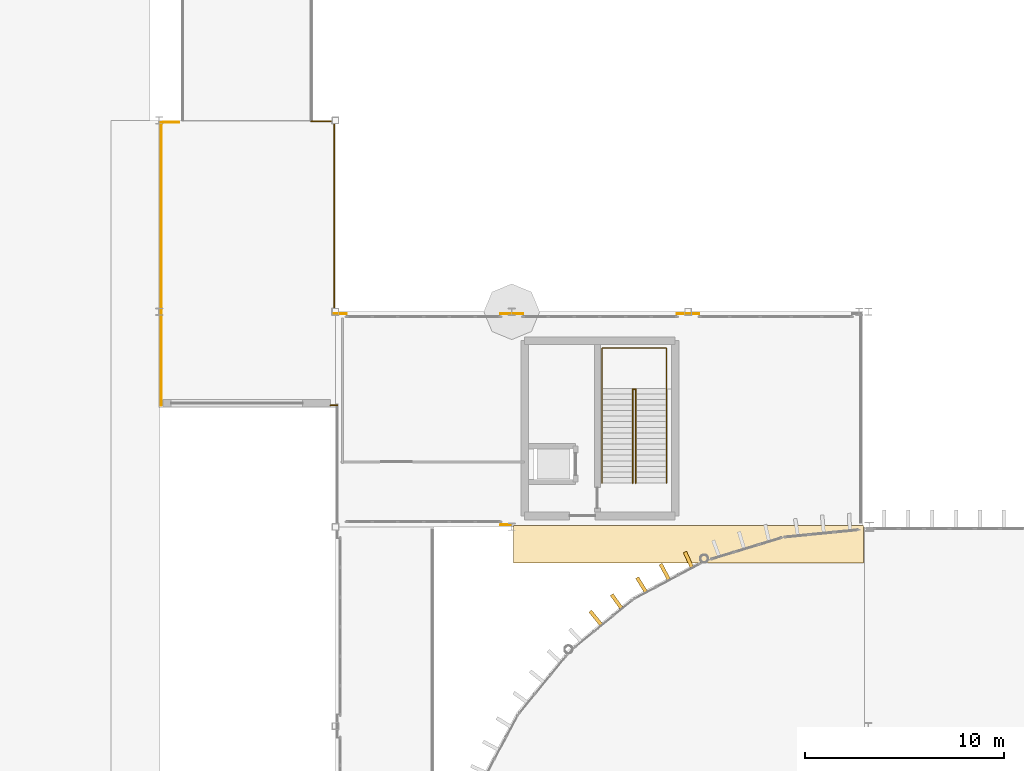
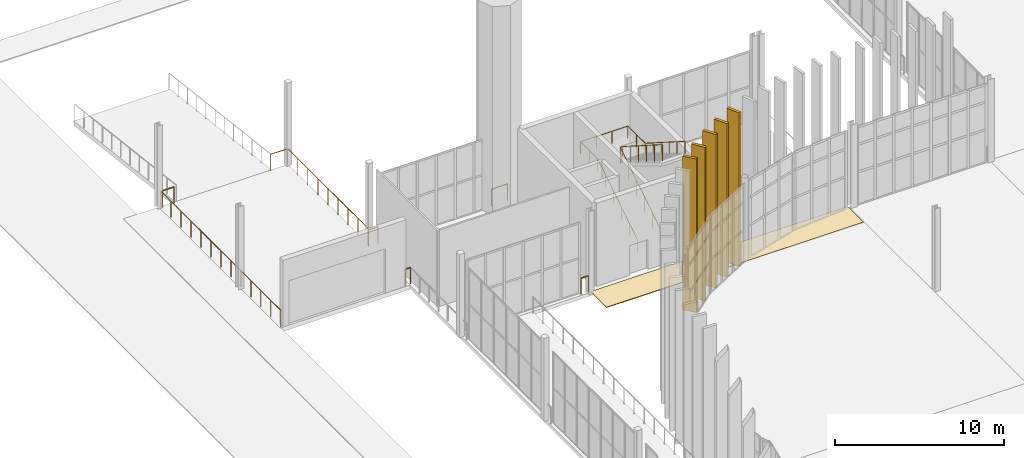
# One storey, part 124 of 139: 10 railings, 6 coverings.
"""IFC4 building model written with IfcOpenShell, lengths in metres."""

from ifc_helpers import new_model, si_unit, direction, frame, origin, origin_2d, place, context, subcontext, project, spatial, polyline, rectangle, circle, outline, extrude, material, layer, layer_set, type_object, element, save


model = new_model("IFC4")

# Units and contexts
model_context = context("Model", 3, precision=1e-05, world=origin(), true_north=direction((0.0, 1.0)))
body_context = subcontext(model_context, "Body", "Model", "MODEL_VIEW")
ifc_project = project(units=[si_unit("LENGTHUNIT", "METRE"), si_unit("AREAUNIT", "SQUARE_METRE"), si_unit("VOLUMEUNIT", "CUBIC_METRE"), si_unit("PLANEANGLEUNIT", "RADIAN"), si_unit("MASSUNIT", "GRAM", prefix="KILO")], contexts=[model_context])

# Site, building, storey
site_placement = place(None, origin())
site = spatial("IfcSite", under=ifc_project, at=site_placement, CompositionType="ELEMENT")
building_placement = place(site_placement, origin())
building = spatial("IfcBuilding", under=site, at=building_placement, Name="Yeouljin Market Hall", CompositionType="ELEMENT")
storey_placement = place(building_placement, origin())
storey = spatial("IfcBuildingStorey", under=building, at=storey_placement, Name="L00", CompositionType="ELEMENT", Elevation=0.0)

# Coverings
ifc_material_1 = material(Name="Pocheon Granite Stone", Category="masonry")
ifc_layer_1 = layer(ifc_material_1, 0.050048828125)
ifc_layer_set_1 = layer_set([ifc_layer_1], Name="Pocheon Granite Stone")
covering_type_1 = type_object("IfcCoveringType", Name="Covering_Granite_PlinthPaving", PredefinedType="FLOORING", material=ifc_layer_set_1)
covering_placement = place(storey_placement, frame((0.0, 0.0, -0.050048828125)))
element("IfcCovering", 1, at=covering_placement, inside=storey, type_object=covering_type_1, Name="Granite plinth exterior apron PAV-NW-COURT", PredefinedType="FLOORING", context=body_context, shape_type="SweptSolid", body=[
    extrude(outline(polyline([(17.800048828125, 76.199951171875), (35.35009765625, 76.199951171875), (35.35009765625, 78.080078125), (17.800048828125, 78.080078125), (17.800048828125, 76.199951171875)])), origin(), (0.0, 0.0, 1.0), 0.050048828125),
])
ifc_material_2 = material(Name="White Limestone and Bronze Solar Fin", Category="masonry")
ifc_layer_2 = layer(ifc_material_2, 0.179931640625)
ifc_layer_set_2 = layer_set([ifc_layer_2], Name="White Limestone and Bronze Solar Fin")
covering_type_2 = type_object("IfcCoveringType", Name="Covering_Limestone_SolarFin", PredefinedType="CLADDING", material=ifc_layer_set_2)
for number, where, z_axis, x_axis, name in (
    (2, (21.912841796875, 73.43408203125, 0.0), (0.0, 0.0, 1.0), (-0.63432582386, 0.773065811677, 0.0), "Apse radial vertical lantern fin west 127"),
    (3, (22.97119140625, 74.24853515625, 0.0), (0.0, 0.0, 1.0), (-0.584532922799, 0.811369990919, 0.0), "Apse radial vertical lantern fin west 128"),
    (4, (24.220703125, 75.08349609375, 0.0), (0.0, 0.0, 1.0), (-0.525768608156, 0.850627633385, 0.0), "Apse radial vertical lantern fin west 129"),
    (5, (25.378173828125, 75.74951171875, 0.0), (0.0, 0.0, 1.0), (-0.471319772882, 0.881962398116, 0.0), "Apse radial vertical lantern fin west 130"),
    (6, (26.5751953125, 76.341796875, 0.0), (0.0, 0.0, 1.0), (-0.415169640396, 0.909744013277, 0.0), "Apse radial vertical lantern fin west 131"),
):
    element("IfcCovering", number, at=place(storey_placement, frame(where, z_axis=z_axis, x_axis=x_axis)), inside=storey, type_object=covering_type_2, Name=name, PredefinedType="CLADDING", context=body_context, shape_type="SweptSolid", body=[
        extrude(rectangle(XDim=0.8798828125, YDim=0.179931640625, at=origin_2d()), origin(), (0.0, 0.0, 1.0), 11.10009765625),
    ])

# Railings
ifc_material_3 = material(Name="Wrought Iron and Bronze Gallery Balustrade")
railing_type_1 = type_object("IfcRailingType", Name="Railing_AtriumBalustrade_1200", PredefinedType="BALUSTRADE", material=ifc_material_3)
railing_1_placement = place(storey_placement, frame((8.949951171875, 84.10009765625, 0.0)))
element("IfcRailing", 7, at=railing_1_placement, inside=storey, type_object=railing_type_1, Name="Gallery & deck edge balustrade L00-048", PredefinedType="BALUSTRADE", context=body_context, shape_type="SweptSolid", body=[
    extrude(circle(Radius=0.02392578125, at=origin_2d()), frame((0.0, 0.0, 1.17578125), z_axis=(-1.0, 0.0, 0.0), x_axis=(0.0, -1.0, 0.0)), (0.0, 0.0, 1.0), 0.349853515625),
    extrude(circle(Radius=0.02099609375, at=origin_2d()), origin(), (0.0, 0.0, 1.0), 1.15185546875),
    extrude(circle(Radius=0.02099609375, at=origin_2d()), frame((-0.349853515625, 0.0, 0.0)), (0.0, 0.0, 1.0), 1.15185546875),
])
railing_2_placement = place(storey_placement, frame((0.199951171875, 98.300048828125, 0.0)))
element("IfcRailing", 8, at=railing_2_placement, inside=storey, type_object=railing_type_1, Name="Gallery & deck edge balustrade L00-049", PredefinedType="BALUSTRADE", context=body_context, shape_type="SweptSolid", body=[
    extrude(circle(Radius=0.02392578125, at=origin_2d()), frame((0.0, 0.0, 1.17578125), z_axis=(1.0, 0.0, 0.0), x_axis=(0.0, 1.0, 0.0)), (0.0, 0.0, 1.0), 0.800048828125),
    extrude(circle(Radius=0.02099609375, at=origin_2d()), origin(), (0.0, 0.0, 1.0), 1.15185546875),
    extrude(circle(Radius=0.02099609375, at=origin_2d()), frame((0.800048828125, 0.0, 0.0)), (0.0, 0.0, 1.0), 1.15185546875),
])
railing_3_placement = place(storey_placement, frame((8.75, 88.699951171875, 0.0)))
element("IfcRailing", 9, at=railing_3_placement, inside=storey, type_object=railing_type_1, Name="Gallery & deck edge balustrade L00-050", PredefinedType="BALUSTRADE", context=body_context, shape_type="SweptSolid", body=[
    extrude(circle(Radius=0.02392578125, at=origin_2d()), frame((0.0, 0.0, 1.17578125), z_axis=(1.0, 0.0, 0.0), x_axis=(0.0, 1.0, 0.0)), (0.0, 0.0, 1.0), 0.64990234375),
    extrude(circle(Radius=0.02099609375, at=origin_2d()), origin(), (0.0, 0.0, 1.0), 1.15185546875),
    extrude(circle(Radius=0.02099609375, at=origin_2d()), frame((0.64990234375, 0.0, 0.0)), (0.0, 0.0, 1.0), 1.15185546875),
])
for number, where, name in (
    (10, (17.14990234375, 88.699951171875, 0.0), "Gallery & deck edge balustrade L00-051"),
    (11, (26.0, 88.699951171875, 0.0), "Gallery & deck edge balustrade L00-052"),
):
    element("IfcRailing", number, at=place(storey_placement, frame(where)), inside=storey, type_object=railing_type_1, Name=name, PredefinedType="BALUSTRADE", context=body_context, shape_type="SweptSolid", body=[
        extrude(circle(Radius=0.02392578125, at=origin_2d()), frame((0.0, 0.0, 1.17578125), z_axis=(1.0, 0.0, 0.0), x_axis=(0.0, 1.0, 0.0)), (0.0, 0.0, 1.0), 1.10009765625),
        extrude(circle(Radius=0.02099609375, at=origin_2d()), origin(), (0.0, 0.0, 1.0), 1.15185546875),
        extrude(circle(Radius=0.02099609375, at=origin_2d()), frame((1.10009765625, 0.0, 0.0)), (0.0, 0.0, 1.0), 1.15185546875),
    ])
railing_4_placement = place(storey_placement, frame((17.651611328125, 78.10009765625, 0.0)))
element("IfcRailing", 12, at=railing_4_placement, inside=storey, type_object=railing_type_1, Name="Gallery & deck edge balustrade L00-055", PredefinedType="BALUSTRADE", context=body_context, shape_type="SweptSolid", body=[
    extrude(circle(Radius=0.02392578125, at=origin_2d()), frame((0.0, 0.0, 1.17578125), z_axis=(-1.0, 0.0, 0.0), x_axis=(0.0, -1.0, 0.0)), (0.0, 0.0, 1.0), 0.501708984375),
    extrude(circle(Radius=0.02099609375, at=origin_2d()), origin(), (0.0, 0.0, 1.0), 1.15185546875),
    extrude(circle(Radius=0.02099609375, at=origin_2d()), frame((-0.501708984375, 0.0, 0.0)), (0.0, 0.0, 1.0), 1.15185546875),
])
ifc_material_4 = material(Name="Painted Steel Stair Guardrail", Category="steel")
railing_type_2 = type_object("IfcRailingType", Name="Railing_StairGuard_1200", PredefinedType="GUARDRAIL", material=ifc_material_4)
railing_5_placement = place(storey_placement, frame((23.77001953125, 80.199951171875, 0.0)))
element("IfcRailing", 13, at=railing_5_placement, inside=storey, type_object=railing_type_2, Name="Stair ST-C2-L00 inner well guardrail", PredefinedType="GUARDRAIL", context=body_context, shape_type="SweptSolid", body=[
    extrude(circle(Radius=0.02392578125, at=origin_2d()), frame((0.0, 0.0, 1.17578125), z_axis=(0.0, 0.84395435455, 0.536414995537), x_axis=(-1.0, 0.0, 0.0)), (0.0, 0.0, 1.0), 5.5927734375),
    extrude(circle(Radius=0.02392578125, at=origin_2d()), frame((0.0, 4.719970703125, 4.17578125), z_axis=(1.0, 0.0, 0.0), x_axis=(0.0, 1.0, 0.0)), (0.0, 0.0, 1.0), 0.159912109375),
    extrude(circle(Radius=0.02392578125, at=origin_2d()), frame((0.159912109375, 4.719970703125, 4.17578125), z_axis=(0.0, -0.84395435455, 0.536414995537), x_axis=(1.0, 0.0, 0.0)), (0.0, 0.0, 1.0), 5.5927734375),
    extrude(circle(Radius=0.02099609375, at=origin_2d()), origin(), (0.0, 0.0, 1.0), 1.15185546875),
    extrude(circle(Radius=0.02099609375, at=origin_2d()), frame((0.0, 0.944091796875, 0.60009765625)), (0.0, 0.0, 1.0), 1.15185546875),
    extrude(circle(Radius=0.02099609375, at=origin_2d()), frame((0.0, 1.887939453125, 1.199951171875)), (0.0, 0.0, 1.0), 1.15185546875),
    extrude(circle(Radius=0.02099609375, at=origin_2d()), frame((0.0, 2.83203125, 1.800048828125)), (0.0, 0.0, 1.0), 1.15185546875),
    extrude(circle(Radius=0.02099609375, at=origin_2d()), frame((0.0, 3.77587890625, 2.39990234375)), (0.0, 0.0, 1.0), 1.15185546875),
    extrude(circle(Radius=0.02099609375, at=origin_2d()), frame((0.0, 4.719970703125, 3.0)), (0.0, 0.0, 1.0), 1.15185546875),
    extrude(circle(Radius=0.02099609375, at=origin_2d()), frame((0.159912109375, 4.719970703125, 3.0)), (0.0, 0.0, 1.0), 1.15185546875),
    extrude(circle(Radius=0.02099609375, at=origin_2d()), frame((0.159912109375, 3.77587890625, 3.60009765625)), (0.0, 0.0, 1.0), 1.15185546875),
    extrude(circle(Radius=0.02099609375, at=origin_2d()), frame((0.159912109375, 2.83203125, 4.199951171875)), (0.0, 0.0, 1.0), 1.15185546875),
    extrude(circle(Radius=0.02099609375, at=origin_2d()), frame((0.159912109375, 1.887939453125, 4.800048828125)), (0.0, 0.0, 1.0), 1.15185546875),
    extrude(circle(Radius=0.02099609375, at=origin_2d()), frame((0.159912109375, 0.944091796875, 5.39990234375)), (0.0, 0.0, 1.0), 1.15185546875),
    extrude(circle(Radius=0.02099609375, at=origin_2d()), frame((0.159912109375, 0.0, 6.0)), (0.0, 0.0, 1.0), 1.15185546875),
])
ifc_material_5 = material(Name="Brushed Stainless Steel", Category="steel")
railing_type_3 = type_object("IfcRailingType", Name="Railing_StairHandrail_900", PredefinedType="HANDRAIL", material=ifc_material_5)
railing_6_placement = place(storey_placement, frame((22.22998046875, 80.199951171875, 0.0)))
element("IfcRailing", 14, at=railing_6_placement, inside=storey, type_object=railing_type_3, Name="Stair ST-C2-L00 wall handrail", PredefinedType="HANDRAIL", context=body_context, shape_type="SweptSolid", body=[
    extrude(circle(Radius=0.02392578125, at=origin_2d()), frame((0.0, 0.0, 0.8759765625), z_axis=(0.0, 0.84395435455, 0.536414995537), x_axis=(-1.0, 0.0, 0.0)), (0.0, 0.0, 1.0), 5.5927734375),
    extrude(circle(Radius=0.02392578125, at=origin_2d()), frame((0.0, 4.719970703125, 3.8759765625), z_axis=(0.0, 1.0, 0.0), x_axis=(-1.0, 0.0, 0.0)), (0.0, 0.0, 1.0), 2.050048828125),
    extrude(circle(Radius=0.02392578125, at=origin_2d()), frame((0.0, 6.77001953125, 3.8759765625), z_axis=(1.0, 0.0, 0.0), x_axis=(0.0, 1.0, 0.0)), (0.0, 0.0, 1.0), 3.239990234375),
    extrude(circle(Radius=0.02392578125, at=origin_2d()), frame((3.239990234375, 6.77001953125, 3.8759765625), z_axis=(0.0, -1.0, 0.0), x_axis=(1.0, 0.0, 0.0)), (0.0, 0.0, 1.0), 2.050048828125),
    extrude(circle(Radius=0.02392578125, at=origin_2d()), frame((3.239990234375, 4.719970703125, 3.8759765625), z_axis=(0.0, -0.84395435455, 0.536414995537), x_axis=(1.0, 0.0, 0.0)), (0.0, 0.0, 1.0), 5.5927734375),
    extrude(circle(Radius=0.02099609375, at=origin_2d()), origin(), (0.0, 0.0, 1.0), 0.851806640625),
    extrude(circle(Radius=0.02099609375, at=origin_2d()), frame((0.0, 0.944091796875, 0.60009765625)), (0.0, 0.0, 1.0), 0.851806640625),
    extrude(circle(Radius=0.02099609375, at=origin_2d()), frame((0.0, 1.887939453125, 1.199951171875)), (0.0, 0.0, 1.0), 0.851806640625),
    extrude(circle(Radius=0.02099609375, at=origin_2d()), frame((0.0, 2.83203125, 1.800048828125)), (0.0, 0.0, 1.0), 0.851806640625),
    extrude(circle(Radius=0.02099609375, at=origin_2d()), frame((0.0, 3.77587890625, 2.39990234375)), (0.0, 0.0, 1.0), 0.851806640625),
    extrude(circle(Radius=0.02099609375, at=origin_2d()), frame((0.0, 4.719970703125, 3.0)), (0.0, 0.0, 1.0), 0.851806640625),
    extrude(circle(Radius=0.02099609375, at=origin_2d()), frame((0.0, 5.7451171875, 3.0)), (0.0, 0.0, 1.0), 0.851806640625),
    extrude(circle(Radius=0.02099609375, at=origin_2d()), frame((0.0, 6.77001953125, 3.0)), (0.0, 0.0, 1.0), 0.851806640625),
    extrude(circle(Radius=0.02099609375, at=origin_2d()), frame((1.080078125, 6.77001953125, 3.0)), (0.0, 0.0, 1.0), 0.851806640625),
    extrude(circle(Radius=0.02099609375, at=origin_2d()), frame((2.159912109375, 6.77001953125, 3.0)), (0.0, 0.0, 1.0), 0.851806640625),
    extrude(circle(Radius=0.02099609375, at=origin_2d()), frame((3.239990234375, 6.77001953125, 3.0)), (0.0, 0.0, 1.0), 0.851806640625),
    extrude(circle(Radius=0.02099609375, at=origin_2d()), frame((3.239990234375, 5.7451171875, 3.0)), (0.0, 0.0, 1.0), 0.851806640625),
    extrude(circle(Radius=0.02099609375, at=origin_2d()), frame((3.239990234375, 4.719970703125, 3.0)), (0.0, 0.0, 1.0), 0.851806640625),
    extrude(circle(Radius=0.02099609375, at=origin_2d()), frame((3.239990234375, 3.77587890625, 3.60009765625)), (0.0, 0.0, 1.0), 0.851806640625),
    extrude(circle(Radius=0.02099609375, at=origin_2d()), frame((3.239990234375, 2.83203125, 4.199951171875)), (0.0, 0.0, 1.0), 0.851806640625),
    extrude(circle(Radius=0.02099609375, at=origin_2d()), frame((3.239990234375, 1.887939453125, 4.800048828125)), (0.0, 0.0, 1.0), 0.851806640625),
    extrude(circle(Radius=0.02099609375, at=origin_2d()), frame((3.239990234375, 0.944091796875, 5.39990234375)), (0.0, 0.0, 1.0), 0.851806640625),
    extrude(circle(Radius=0.02099609375, at=origin_2d()), frame((3.239990234375, 0.0, 6.0)), (0.0, 0.0, 1.0), 0.851806640625),
])
ifc_material_6 = material(Name="Architectural Bronze Balustrade")
railing_type_4 = type_object("IfcRailingType", Name="Railing_TerraceGuard_1200", PredefinedType="GUARDRAIL", material=ifc_material_6)
railing_7_placement = place(storey_placement, frame((0.10009765625, 84.10009765625, 0.0)))
element("IfcRailing", 15, at=railing_7_placement, inside=storey, type_object=railing_type_4, Name="Service apron west edge guardrail", PredefinedType="GUARDRAIL", context=body_context, shape_type="SweptSolid", body=[
    extrude(circle(Radius=0.02392578125, at=origin_2d()), frame((0.0, 0.0, 1.17578125), z_axis=(0.0, 1.0, 0.0), x_axis=(-1.0, 0.0, 0.0)), (0.0, 0.0, 1.0), 14.199951171875),
    extrude(circle(Radius=0.02099609375, at=origin_2d()), origin(), (0.0, 0.0, 1.0), 1.15185546875),
    extrude(circle(Radius=0.02099609375, at=origin_2d()), frame((0.0, 1.183349609375, 0.0)), (0.0, 0.0, 1.0), 1.15185546875),
    extrude(circle(Radius=0.02099609375, at=origin_2d()), frame((0.0, 2.36669921875, 0.0)), (0.0, 0.0, 1.0), 1.15185546875),
    extrude(circle(Radius=0.02099609375, at=origin_2d()), frame((0.0, 3.550048828125, 0.0)), (0.0, 0.0, 1.0), 1.15185546875),
    extrude(circle(Radius=0.02099609375, at=origin_2d()), frame((0.0, 4.7333984375, 0.0)), (0.0, 0.0, 1.0), 1.15185546875),
    extrude(circle(Radius=0.02099609375, at=origin_2d()), frame((0.0, 5.916748046875, 0.0)), (0.0, 0.0, 1.0), 1.15185546875),
    extrude(circle(Radius=0.02099609375, at=origin_2d()), frame((0.0, 7.10009765625, 0.0)), (0.0, 0.0, 1.0), 1.15185546875),
    extrude(circle(Radius=0.02099609375, at=origin_2d()), frame((0.0, 8.283203125, 0.0)), (0.0, 0.0, 1.0), 1.15185546875),
    extrude(circle(Radius=0.02099609375, at=origin_2d()), frame((0.0, 9.466552734375, 0.0)), (0.0, 0.0, 1.0), 1.15185546875),
    extrude(circle(Radius=0.02099609375, at=origin_2d()), frame((0.0, 10.64990234375, 0.0)), (0.0, 0.0, 1.0), 1.15185546875),
    extrude(circle(Radius=0.02099609375, at=origin_2d()), frame((0.0, 11.833251953125, 0.0)), (0.0, 0.0, 1.0), 1.15185546875),
    extrude(circle(Radius=0.02099609375, at=origin_2d()), frame((0.0, 13.0166015625, 0.0)), (0.0, 0.0, 1.0), 1.15185546875),
    extrude(circle(Radius=0.02099609375, at=origin_2d()), frame((0.0, 14.199951171875, 0.0)), (0.0, 0.0, 1.0), 1.15185546875),
])
railing_8_placement = place(storey_placement, frame((7.639892578125, 98.35009765625, 0.0)))
element("IfcRailing", 16, at=railing_8_placement, inside=storey, type_object=railing_type_4, Name="Service apron east edge guardrail", PredefinedType="GUARDRAIL", context=body_context, shape_type="SweptSolid", body=[
    extrude(circle(Radius=0.02392578125, at=origin_2d()), frame((0.0, 0.0, 1.17578125), z_axis=(1.0, 0.0, 0.0), x_axis=(0.0, 1.0, 0.0)), (0.0, 0.0, 1.0), 1.16015625),
    extrude(circle(Radius=0.02392578125, at=origin_2d()), frame((1.16015625, 0.0, 1.17578125), z_axis=(0.0, -1.0, 0.0), x_axis=(1.0, 0.0, 0.0)), (0.0, 0.0, 1.0), 9.5),
    extrude(circle(Radius=0.02099609375, at=origin_2d()), origin(), (0.0, 0.0, 1.0), 1.15185546875),
    extrude(circle(Radius=0.02099609375, at=origin_2d()), frame((1.16015625, 0.0, 0.0)), (0.0, 0.0, 1.0), 1.15185546875),
    extrude(circle(Radius=0.02099609375, at=origin_2d()), frame((1.16015625, -1.1875, 0.0)), (0.0, 0.0, 1.0), 1.15185546875),
    extrude(circle(Radius=0.02099609375, at=origin_2d()), frame((1.16015625, -2.375, 0.0)), (0.0, 0.0, 1.0), 1.15185546875),
    extrude(circle(Radius=0.02099609375, at=origin_2d()), frame((1.16015625, -3.5625, 0.0)), (0.0, 0.0, 1.0), 1.15185546875),
    extrude(circle(Radius=0.02099609375, at=origin_2d()), frame((1.16015625, -4.75, 0.0)), (0.0, 0.0, 1.0), 1.15185546875),
    extrude(circle(Radius=0.02099609375, at=origin_2d()), frame((1.16015625, -5.9375, 0.0)), (0.0, 0.0, 1.0), 1.15185546875),
    extrude(circle(Radius=0.02099609375, at=origin_2d()), frame((1.16015625, -7.125, 0.0)), (0.0, 0.0, 1.0), 1.15185546875),
    extrude(circle(Radius=0.02099609375, at=origin_2d()), frame((1.16015625, -8.3125, 0.0)), (0.0, 0.0, 1.0), 1.15185546875),
    extrude(circle(Radius=0.02099609375, at=origin_2d()), frame((1.16015625, -9.5, 0.0)), (0.0, 0.0, 1.0), 1.15185546875),
])

save(model, "model.ifc")
